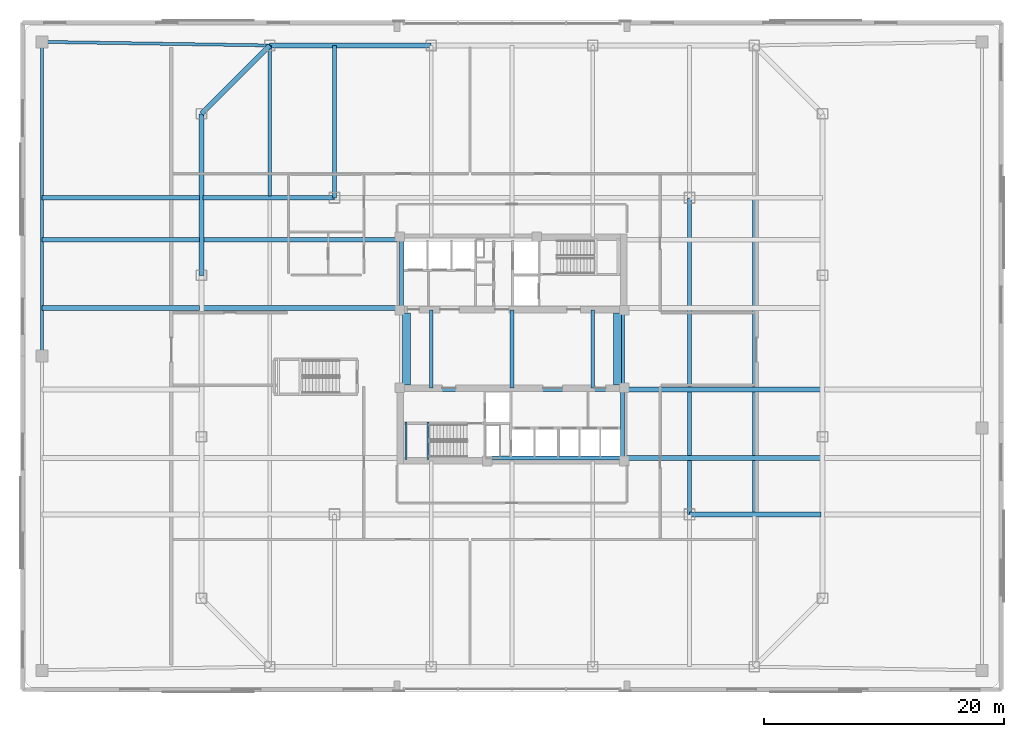
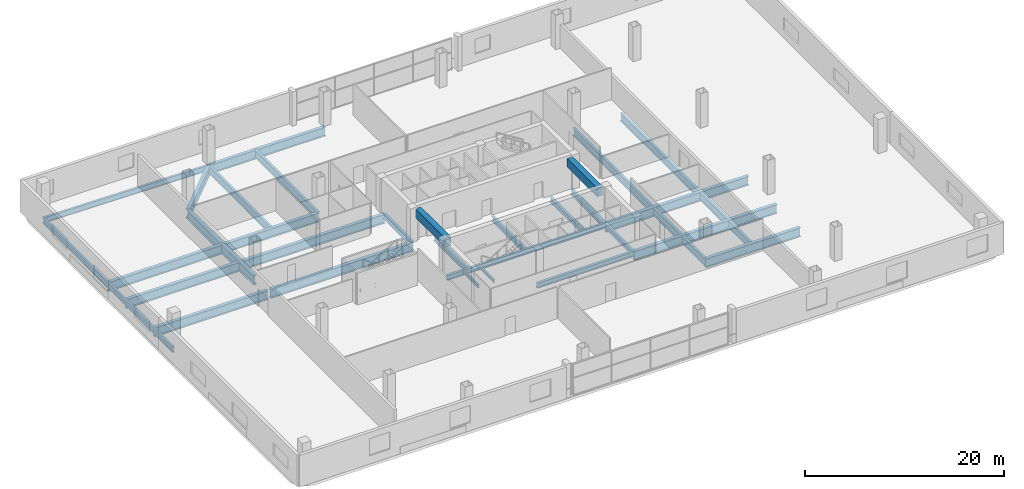
# One storey, part 7 of 21: 30 beams.
"""IFC4 building model written with IfcOpenShell, lengths in metres."""

import ifcopenshell
import ifcopenshell.guid

model = None  # the IFC model being written
_history = None  # IfcOwnerHistory: only IFC2X3 demands one
_inside = {}  # id of a spatial element -> (the spatial element, [elements in it])
_under = {}  # id of a project, library or spatial element -> (it, [spatial elements below it])
_declared = {}  # id of a project -> (the project, [libraries it declares])
_typed = {}  # id of a type object -> (the type object, [elements of that type])
_made_of = {}  # id of a material, layer set ... -> (it, [elements and type objects made of it])


def new_model(schema):
    """Start an empty IFC model of exactly this schema.

    Asked for "IFC4X3", IfcOpenShell would pick the latest addendum, in which some entities
    have other attributes; the version numbers below select the first issue.
    IFC2X3 requires an IfcOwnerHistory on every rooted entity: one is made here for all.
    """
    global model, _history
    if schema == "IFC4X3":
        model = ifcopenshell.file(schema_version=(4, 3, 0, 0))
    else:
        model = ifcopenshell.file(schema=schema)
    _inside.clear()
    _under.clear()
    _declared.clear()
    _typed.clear()
    _made_of.clear()
    _history = None
    if model.schema == "IFC2X3":
        org = make("IfcOrganization", Name="unknown")
        user = make(
            "IfcPersonAndOrganization",
            ThePerson=make("IfcPerson", FamilyName="unknown"),
            TheOrganization=org,
        )
        app = make(
            "IfcApplication",
            ApplicationDeveloper=org,
            Version="unknown",
            ApplicationFullName="unknown",
            ApplicationIdentifier="unknown",
        )
        _history = make(
            "IfcOwnerHistory",
            OwningUser=user,
            OwningApplication=app,
            ChangeAction="ADDED",
            CreationDate=0,
        )
    return model


def make(cls, **values):
    """One entity of the class cls with the attributes given. An attribute that is None is left unset."""
    return model.create_entity(
        cls, **{name: value for name, value in values.items() if value is not None}
    )


def rooted(cls, **values):
    """An entity with a GlobalId (a new one), such as an element, a storey or a relation."""
    return make(cls, GlobalId=ifcopenshell.guid.new(), OwnerHistory=_history, **values)


def si_unit(unit_type, name, prefix=None):
    """IfcSIUnit, for example si_unit("LENGTHUNIT", "METRE", prefix="MILLI")."""
    return make("IfcSIUnit", UnitType=unit_type, Prefix=prefix, Name=name)


def assignment(units):
    """IfcUnitAssignment: the units of a project."""
    return None if units is None else make("IfcUnitAssignment", Units=units)


def point(xyz):
    """IfcCartesianPoint."""
    return None if xyz is None else make("IfcCartesianPoint", Coordinates=xyz)


def direction(xyz):
    """IfcDirection."""
    return None if xyz is None else make("IfcDirection", DirectionRatios=xyz)


def frame(location, z_axis=None, x_axis=None):
    """IfcAxis2Placement3D, a coordinate frame: its origin and axes. An axis left out is left unset."""
    return make(
        "IfcAxis2Placement3D",
        Location=point(location),
        Axis=direction(z_axis),
        RefDirection=direction(x_axis),
    )


def frame_2d(location, x_axis=None):
    """IfcAxis2Placement2D, a coordinate frame in the plane: its origin and x axis."""
    return make(
        "IfcAxis2Placement2D", Location=point(location), RefDirection=direction(x_axis)
    )


def origin():
    """The frame at (0, 0, 0) with its axes left unset."""
    return frame((0.0, 0.0, 0.0))


def origin_2d():
    """The frame at (0, 0) in the plane with its x axis left unset."""
    return frame_2d((0.0, 0.0))


def place(relative_to, where):
    """IfcLocalPlacement: puts the frame where relative to a parent placement (None: the world)."""
    return make(
        "IfcLocalPlacement", PlacementRelTo=relative_to, RelativePlacement=where
    )


def context(
    kind, dimensions, precision=None, world=None, true_north=None, identifier=None
):
    """IfcGeometricRepresentationContext, for example the 3D "Model" context."""
    return make(
        "IfcGeometricRepresentationContext",
        ContextIdentifier=identifier,
        ContextType=kind,
        CoordinateSpaceDimension=dimensions,
        Precision=precision,
        WorldCoordinateSystem=world,
        TrueNorth=true_north,
    )


def subcontext(parent, identifier, kind, view, scale=None):
    """IfcGeometricRepresentationSubContext, for example "Body" below "Model"."""
    return make(
        "IfcGeometricRepresentationSubContext",
        ContextIdentifier=identifier,
        ContextType=kind,
        ParentContext=parent,
        TargetScale=scale,
        TargetView=view,
    )


def project(units=None, contexts=None):
    """IfcProject with its units and contexts."""
    return rooted(
        "IfcProject",
        Name="project",
        RepresentationContexts=contexts,
        UnitsInContext=assignment(units),
    )


def spatial(cls, under=None, at=None, **own):
    """A site, building, storey or space (cls), placed at a placement, below another one or the project."""
    s = rooted(cls, ObjectPlacement=at, **own)
    if under is not None:
        _under.setdefault(under.id(), (under, []))[1].append(s)
    return s


def profile(cls, at=None, kind="AREA", **sizes):
    """A parametric profile (cls). Its sizes go by their IFC names, for example OverallWidth=200.0."""
    return make(cls, ProfileType=kind, Position=at, **sizes)


def rectangle(**sizes):
    """IfcRectangleProfileDef."""
    return profile("IfcRectangleProfileDef", **sizes)


def i_section(**sizes):
    """IfcIShapeProfileDef."""
    return profile("IfcIShapeProfileDef", **sizes)


def extrude(swept, where, along, depth):
    """IfcExtrudedAreaSolid: the profile swept, set in the frame where, extruded along a direction by depth."""
    return make(
        "IfcExtrudedAreaSolid",
        SweptArea=swept,
        Position=where,
        ExtrudedDirection=direction(along),
        Depth=depth,
    )


def shape(context_of_items, identifier, shape_type, items):
    """IfcShapeRepresentation: the items that make up one representation, for example the "Body"."""
    return make(
        "IfcShapeRepresentation",
        ContextOfItems=context_of_items,
        RepresentationIdentifier=identifier,
        RepresentationType=shape_type,
        Items=items,
    )


def material(Name=None, Category=None):
    """IfcMaterial."""
    return make("IfcMaterial", Name=Name, Category=Category)


def material_profile(
    of_material, cross_section, Name=None, Category=None, Priority=None
):
    """IfcMaterialProfile: a cross section and its material."""
    return make(
        "IfcMaterialProfile",
        Name=Name,
        Material=of_material,
        Profile=cross_section,
        Priority=Priority,
        Category=Category,
    )


def profile_set(profiles, Name=None, composite=None):
    """IfcMaterialProfileSet."""
    return make(
        "IfcMaterialProfileSet",
        Name=Name,
        MaterialProfiles=profiles,
        CompositeProfile=composite,
    )


def made_of(thing, what):
    """Note that an element or type object is made of a material, layer set ...; save() writes the relation."""
    if what is not None:
        _made_of.setdefault(what.id(), (what, []))[1].append(thing)
    return thing


def type_object(cls, material=None, **own):
    """A type object (cls), such as IfcWallType, which elements share."""
    return made_of(rooted(cls, **own), material)


def element(
    cls,
    number,
    at=None,
    inside=None,
    cuts=None,
    type_object=None,
    material=None,
    context=None,
    identifier="Body",
    shape_type=None,
    held_by="IfcProductDefinitionShape",
    body=None,
    shapes=None,
    **own,
):
    """One element of the class cls, such as IfcWall. Its Tag is "e" and its number.

    at: its placement. inside: the storey or other place that contains it. cuts: it is an
    opening in that element (IfcRelVoidsElement). A single representation is given by context,
    identifier, shape_type and body (its items); several are given by shapes. held_by: the class
    of the entity that holds the representations. save() writes the other relations.
    """
    e = rooted(cls, Tag="e%d" % number, ObjectPlacement=at, **own)
    if body is not None:
        shapes = [shape(context, identifier, shape_type, body)]
    if shapes is not None:
        e.Representation = make(held_by, Representations=shapes)
    if inside is not None:
        _inside.setdefault(inside.id(), (inside, []))[1].append(e)
    if cuts is not None:
        rooted(
            "IfcRelVoidsElement", RelatingBuildingElement=cuts, RelatedOpeningElement=e
        )
    if type_object is not None:
        _typed.setdefault(type_object.id(), (type_object, []))[1].append(e)
    return made_of(e, material)


def aggregate(whole, parts):
    """IfcRelAggregates: a whole, such as a stair, and the parts it consists of."""
    return rooted("IfcRelAggregates", RelatingObject=whole, RelatedObjects=parts)


def save(model, path):
    """Write the relations noted so far, then the file.

    IfcRelAggregates (storeys below a building ...), IfcRelContainedInSpatialStructure (elements
    in a storey), IfcRelDefinesByType, IfcRelAssociatesMaterial and IfcRelDeclares: one each for
    every whole, place, type object, material and project.
    """
    for whole, parts in _under.values():
        aggregate(whole, parts)
    for where, things in _inside.values():
        rooted(
            "IfcRelContainedInSpatialStructure",
            RelatedElements=things,
            RelatingStructure=where,
        )
    for kind, things in _typed.values():
        rooted("IfcRelDefinesByType", RelatedObjects=things, RelatingType=kind)
    for what, things in _made_of.values():
        rooted("IfcRelAssociatesMaterial", RelatedObjects=things, RelatingMaterial=what)
    for by, libraries in _declared.values():
        rooted("IfcRelDeclares", RelatingContext=by, RelatedDefinitions=libraries)
    model.write(path)


model = new_model("IFC4")

# Units and contexts
model_context = context("Model", 3, precision=1e-05, world=origin(), true_north=direction((0.0, 1.0)))
body_context = subcontext(model_context, "Body", "Model", "MODEL_VIEW")
ifc_project = project(units=[si_unit("LENGTHUNIT", "METRE"), si_unit("AREAUNIT", "SQUARE_METRE"), si_unit("VOLUMEUNIT", "CUBIC_METRE"), si_unit("PLANEANGLEUNIT", "RADIAN"), si_unit("MASSUNIT", "GRAM", prefix="KILO")], contexts=[model_context])

# Site, building, storey
site_placement = place(None, origin())
site = spatial("IfcSite", under=ifc_project, at=site_placement, CompositionType="ELEMENT")
building_placement = place(site_placement, origin())
building = spatial("IfcBuilding", under=site, at=building_placement, Name="Qhalaya Broadcast Tower", CompositionType="ELEMENT")
storey_placement = place(building_placement, frame((0.0, 0.0, 5.10009765625)))
storey = spatial("IfcBuildingStorey", under=building, at=storey_placement, Name="L01", CompositionType="ELEMENT", Elevation=5.10009765625)

# Beams
ifc_material_1 = material(Name="Structural Steel ASTM A992 Grade 50", Category="steel")
ifc_material_profile_1 = material_profile(ifc_material_1, i_section(OverallWidth=0.323974609375, OverallDepth=0.612060546875, WebThickness=0.0126953125, FlangeThickness=0.01904296875, at=origin_2d()), Name="W24X104")
ifc_profile_set_1 = profile_set([ifc_material_profile_1], Name="Structural Steel ASTM A992 Grade 50")
beam_type_1 = type_object("IfcBeamType", Name="Core Frame Tie Beam B04", PredefinedType="BEAM", material=ifc_profile_set_1)
beam_1_placement = place(storey_placement, frame((-9.199951171875, 4.0, -0.6259765625), z_axis=(0.0, 1.0, 0.0), x_axis=(-1.0, 0.0, 0.0)))
element("IfcBeam", 1, at=beam_1_placement, inside=storey, type_object=beam_type_1, Name="L01 B04 L01-CCN2", PredefinedType="BEAM", context=body_context, shape_type="SweptSolid", body=[
    extrude(i_section(OverallWidth=0.323974609375, OverallDepth=0.612060546875, WebThickness=0.0126953125, FlangeThickness=0.01904296875, at=origin_2d()), origin(), (0.0, 0.0, 1.0), 5.699951171875),
])
beam_2_placement = place(storey_placement, frame((-9.199951171875, -2.800048828125, -0.6259765625), z_axis=(1.0, 0.0, 0.0), x_axis=(0.0, 1.0, 0.0)))
element("IfcBeam", 2, at=beam_2_placement, inside=storey, type_object=beam_type_1, Name="L01 B04 L01-CCS1", PredefinedType="BEAM", context=body_context, shape_type="SweptSolid", body=[
    extrude(i_section(OverallWidth=0.323974609375, OverallDepth=0.612060546875, WebThickness=0.0126953125, FlangeThickness=0.01904296875, at=origin_2d()), origin(), (0.0, 0.0, 1.0), 18.39990234375),
])
beam_3_placement = place(storey_placement, frame((9.199951171875, -8.5, -0.6259765625), z_axis=(0.0, 1.0, 0.0), x_axis=(-1.0, 0.0, 0.0)))
element("IfcBeam", 3, at=beam_3_placement, inside=storey, type_object=beam_type_1, Name="L01 B04 L01-CCS2", PredefinedType="BEAM", context=body_context, shape_type="SweptSolid", body=[
    extrude(i_section(OverallWidth=0.323974609375, OverallDepth=0.612060546875, WebThickness=0.0126953125, FlangeThickness=0.01904296875, at=origin_2d()), origin(), (0.0, 0.0, 1.0), 5.699951171875),
])
beam_4_placement = place(storey_placement, frame((-2.050048828125, -8.5, -0.6259765625), z_axis=(1.0, 0.0, 0.0), x_axis=(0.0, 1.0, 0.0)))
element("IfcBeam", 4, at=beam_4_placement, inside=storey, type_object=beam_type_1, Name="L01 B04 L01-CCS3", PredefinedType="BEAM", context=body_context, shape_type="SweptSolid", body=[
    extrude(i_section(OverallWidth=0.323974609375, OverallDepth=0.612060546875, WebThickness=0.0126953125, FlangeThickness=0.01904296875, at=origin_2d()), origin(), (0.0, 0.0, 1.0), 11.25),
])
beam_5_placement = place(storey_placement, frame((9.199951171875, -2.800048828125, -0.6259765625), z_axis=(0.0, 1.0, 0.0), x_axis=(-1.0, 0.0, 0.0)))
element("IfcBeam", 5, at=beam_5_placement, inside=storey, type_object=beam_type_1, Name="L01 B04 L01-CCE", PredefinedType="BEAM", context=body_context, shape_type="SweptSolid", body=[
    extrude(i_section(OverallWidth=0.323974609375, OverallDepth=0.612060546875, WebThickness=0.0126953125, FlangeThickness=0.01904296875, at=origin_2d()), origin(), (0.0, 0.0, 1.0), 6.800048828125),
])
for number, where, z_axis, x_axis, name in (
    (6, (-6.7333984375, -2.64990234375, -0.6259765625), (0.0, 1.0, 0.0), (-1.0, 0.0, 0.0), "L01 B04 L01-JS-CM-6.7"),
    (7, (0.0, -2.64990234375, -0.6259765625), (0.0, 1.0, 0.0), (-1.0, 0.0, 0.0), "L01 B04 L01-JS-CM+0.0"),
    (8, (6.7333984375, -2.64990234375, -0.6259765625), (0.0, 1.0, 0.0), (-1.0, 0.0, 0.0), "L01 B04 L01-JS-CM+6.7"),
):
    element("IfcBeam", number, at=place(storey_placement, frame(where, z_axis=z_axis, x_axis=x_axis)), inside=storey, type_object=beam_type_1, Name=name, PredefinedType="BEAM", context=body_context, shape_type="SweptSolid", body=[
        extrude(i_section(OverallWidth=0.323974609375, OverallDepth=0.612060546875, WebThickness=0.0126953125, FlangeThickness=0.01904296875, at=origin_2d()), origin(), (0.0, 0.0, 1.0), 6.5),
    ])
ifc_material_profile_2 = material_profile(ifc_material_1, i_section(OverallWidth=0.306884765625, OverallDepth=0.927001953125, WebThickness=0.019287109375, FlangeThickness=0.031982421875, at=origin_2d()), Name="W36X194")
ifc_profile_set_2 = profile_set([ifc_material_profile_2], Name="Structural Steel ASTM A992 Grade 50")
beam_type_2 = type_object("IfcBeamType", Name="Heavy Studio Floor Beam B01", PredefinedType="BEAM", material=ifc_profile_set_2)
beam_6_placement = place(storey_placement, frame((-20.199951171875, 13.340087890625, -0.78369140625), z_axis=(0.0, 1.0, 0.0), x_axis=(-1.0, 0.0, 0.0)))
element("IfcBeam", 9, at=beam_6_placement, inside=storey, type_object=beam_type_2, Name="L01 B01 L01-JS-N-20.2", PredefinedType="BEAM", context=body_context, shape_type="SweptSolid", body=[
    extrude(i_section(OverallWidth=0.306884765625, OverallDepth=0.927001953125, WebThickness=0.019287109375, FlangeThickness=0.031982421875, at=origin_2d()), origin(), (0.0, 0.0, 1.0), 12.559814453125),
])
beam_7_placement = place(storey_placement, frame((-14.800048828125, 13.199951171875, -0.78369140625), z_axis=(0.0, 1.0, 0.0), x_axis=(-1.0, 0.0, 0.0)))
element("IfcBeam", 10, at=beam_7_placement, inside=storey, type_object=beam_type_2, Name="L01 B01 L01-JS-N-14.8", PredefinedType="BEAM", context=body_context, shape_type="SweptSolid", body=[
    extrude(i_section(OverallWidth=0.306884765625, OverallDepth=0.927001953125, WebThickness=0.019287109375, FlangeThickness=0.031982421875, at=origin_2d()), origin(), (0.0, 0.0, 1.0), 12.699951171875),
])
beam_8_placement = place(storey_placement, frame((14.800048828125, -13.199951171875, -0.78369140625), z_axis=(0.0, 1.0, 0.0), x_axis=(-1.0, 0.0, 0.0)))
element("IfcBeam", 11, at=beam_8_placement, inside=storey, type_object=beam_type_2, Name="L01 B01 L01-JS-M+14.8", PredefinedType="BEAM", context=body_context, shape_type="SweptSolid", body=[
    extrude(i_section(OverallWidth=0.306884765625, OverallDepth=0.927001953125, WebThickness=0.019287109375, FlangeThickness=0.031982421875, at=origin_2d()), origin(), (0.0, 0.0, 1.0), 26.39990234375),
])
beam_9_placement = place(storey_placement, frame((20.199951171875, -13.06005859375, -0.78369140625), z_axis=(0.0, 1.0, 0.0), x_axis=(-1.0, 0.0, 0.0)))
element("IfcBeam", 12, at=beam_9_placement, inside=storey, type_object=beam_type_2, Name="L01 B01 L01-JS-M+20.2", PredefinedType="BEAM", context=body_context, shape_type="SweptSolid", body=[
    extrude(i_section(OverallWidth=0.306884765625, OverallDepth=0.927001953125, WebThickness=0.019287109375, FlangeThickness=0.031982421875, at=origin_2d()), origin(), (0.0, 0.0, 1.0), 26.1201171875),
])
ifc_material_profile_3 = material_profile(ifc_material_1, i_section(OverallWidth=0.25390625, OverallDepth=0.68310546875, WebThickness=0.012451171875, FlangeThickness=0.01904296875, at=origin_2d()), Name="W27X94")
ifc_profile_set_3 = profile_set([ifc_material_profile_3], Name="Structural Steel ASTM A992 Grade 50")
beam_type_3 = type_object("IfcBeamType", Name="Perimeter Ring Spandrel Beam SP1", PredefinedType="SPANDREL", material=ifc_profile_set_3)
beam_10_placement = place(storey_placement, frame((-39.199951171875, 26.199951171875, -0.66162109375), z_axis=(0.999875328998, -0.015790074776, 0.0), x_axis=(0.015790074776, 0.999875328998, 0.0)))
element("IfcBeam", 13, at=beam_10_placement, inside=storey, type_object=beam_type_3, Name="L01 SP1 L01-SP-N1", PredefinedType="SPANDREL", context=body_context, shape_type="SweptSolid", body=[
    extrude(i_section(OverallWidth=0.25390625, OverallDepth=0.68310546875, WebThickness=0.012451171875, FlangeThickness=0.01904296875, at=origin_2d()), origin(), (0.0, 0.0, 1.0), 19.00244140625),
])
beam_11_placement = place(storey_placement, frame((-39.199951171875, 0.0, -0.66162109375), z_axis=(0.0, 1.0, 0.0), x_axis=(-1.0, 0.0, 0.0)))
element("IfcBeam", 14, at=beam_11_placement, inside=storey, type_object=beam_type_3, Name="L01 SP1 L01-SP-W2", PredefinedType="SPANDREL", context=body_context, shape_type="SweptSolid", body=[
    extrude(i_section(OverallWidth=0.25390625, OverallDepth=0.68310546875, WebThickness=0.012451171875, FlangeThickness=0.01904296875, at=origin_2d()), origin(), (0.0, 0.0, 1.0), 26.199951171875),
])
ifc_material_profile_4 = material_profile(ifc_material_1, i_section(OverallWidth=0.404052734375, OverallDepth=1.117919921875, WebThickness=0.026123046875, FlangeThickness=0.044921875, at=origin_2d()), Name="W44X335")
ifc_profile_set_4 = profile_set([ifc_material_profile_4], Name="Structural Steel ASTM A992 Grade 50")
beam_type_4 = type_object("IfcBeamType", Name="Podium Long-Span Primary Girder PG1", PredefinedType="USERDEFINED", material=ifc_profile_set_4)
beam_12_placement = place(storey_placement, frame((-6.7333984375, 25.89990234375, -0.879150390625), z_axis=(-1.0, 0.0, 0.0), x_axis=(0.0, -1.0, 0.0)))
element("IfcBeam", 15, at=beam_12_placement, inside=storey, type_object=beam_type_4, Name="L01 PG1 L01-PG-R11", ObjectType="GIRDER", PredefinedType="USERDEFINED", context=body_context, shape_type="SweptSolid", body=[
    extrude(i_section(OverallWidth=0.404052734375, OverallDepth=1.117919921875, WebThickness=0.026123046875, FlangeThickness=0.044921875, at=origin_2d()), origin(), (0.0, 0.0, 1.0), 13.466552734375),
])
beam_13_placement = place(storey_placement, frame((-20.199951171875, 25.89990234375, -0.879150390625), z_axis=(-0.707106781187, -0.707106781187, 0.0), x_axis=(0.707106781187, -0.707106781187, 0.0)))
element("IfcBeam", 16, at=beam_13_placement, inside=storey, type_object=beam_type_4, Name="L01 PG1 L01-PG-R12", ObjectType="GIRDER", PredefinedType="USERDEFINED", context=body_context, shape_type="SweptSolid", body=[
    extrude(i_section(OverallWidth=0.404052734375, OverallDepth=1.117919921875, WebThickness=0.026123046875, FlangeThickness=0.044921875, at=origin_2d()), origin(), (0.0, 0.0, 1.0), 8.06103515625),
])
beam_14_placement = place(storey_placement, frame((-25.89990234375, 20.199951171875, -0.879150390625), z_axis=(0.0, -1.0, 0.0), x_axis=(1.0, 0.0, 0.0)))
element("IfcBeam", 17, at=beam_14_placement, inside=storey, type_object=beam_type_4, Name="L01 PG1 L01-PG-R13", ObjectType="GIRDER", PredefinedType="USERDEFINED", context=body_context, shape_type="SweptSolid", body=[
    extrude(i_section(OverallWidth=0.404052734375, OverallDepth=1.117919921875, WebThickness=0.026123046875, FlangeThickness=0.044921875, at=origin_2d()), origin(), (0.0, 0.0, 1.0), 13.466552734375),
])
beam_15_placement = place(storey_placement, frame((14.800048828125, -13.199951171875, -0.879150390625), z_axis=(1.0, 0.0, 0.0), x_axis=(0.0, 1.0, 0.0)))
element("IfcBeam", 18, at=beam_15_placement, inside=storey, type_object=beam_type_4, Name="L01 PG1 L01-PG-GS4", ObjectType="GIRDER", PredefinedType="USERDEFINED", context=body_context, shape_type="SweptSolid", body=[
    extrude(i_section(OverallWidth=0.404052734375, OverallDepth=1.117919921875, WebThickness=0.026123046875, FlangeThickness=0.044921875, at=origin_2d()), origin(), (0.0, 0.0, 1.0), 10.9599609375),
])
beam_16_placement = place(storey_placement, frame((-39.199951171875, 13.199951171875, -0.879150390625), z_axis=(1.0, 0.0, 0.0), x_axis=(0.0, 1.0, 0.0)))
element("IfcBeam", 19, at=beam_16_placement, inside=storey, type_object=beam_type_4, Name="L01 PG1 L01-PG-GN1", ObjectType="GIRDER", PredefinedType="USERDEFINED", context=body_context, shape_type="SweptSolid", body=[
    extrude(i_section(OverallWidth=0.404052734375, OverallDepth=1.117919921875, WebThickness=0.026123046875, FlangeThickness=0.044921875, at=origin_2d()), origin(), (0.0, 0.0, 1.0), 13.159912109375),
])
beam_17_placement = place(storey_placement, frame((-25.760009765625, 13.199951171875, -0.879150390625), z_axis=(1.0, 0.0, 0.0), x_axis=(0.0, 1.0, 0.0)))
element("IfcBeam", 20, at=beam_17_placement, inside=storey, type_object=beam_type_4, Name="L01 PG1 L01-PG-GN2", ObjectType="GIRDER", PredefinedType="USERDEFINED", context=body_context, shape_type="SweptSolid", body=[
    extrude(i_section(OverallWidth=0.404052734375, OverallDepth=1.117919921875, WebThickness=0.026123046875, FlangeThickness=0.044921875, at=origin_2d()), origin(), (0.0, 0.0, 1.0), 10.9599609375),
])
for number, where, z_axis, x_axis, name in (
    (21, (9.199951171875, -8.5, -0.879150390625), (1.0, 0.0, 0.0), (0.0, 1.0, 0.0), "L01 PG1 L01-PG-E1A"),
    (22, (9.199951171875, -2.800048828125, -0.879150390625), (1.0, 0.0, 0.0), (0.0, 1.0, 0.0), "L01 PG1 L01-PG-E2A"),
):
    element("IfcBeam", number, at=place(storey_placement, frame(where, z_axis=z_axis, x_axis=x_axis)), inside=storey, type_object=beam_type_4, Name=name, ObjectType="GIRDER", PredefinedType="USERDEFINED", context=body_context, shape_type="SweptSolid", body=[
        extrude(i_section(OverallWidth=0.404052734375, OverallDepth=1.117919921875, WebThickness=0.026123046875, FlangeThickness=0.044921875, at=origin_2d()), origin(), (0.0, 0.0, 1.0), 16.56005859375),
    ])
beam_18_placement = place(storey_placement, frame((-39.199951171875, 4.0, -0.879150390625), z_axis=(1.0, 0.0, 0.0), x_axis=(0.0, 1.0, 0.0)))
element("IfcBeam", 23, at=beam_18_placement, inside=storey, type_object=beam_type_4, Name="L01 PG1 L01-PG-W3A", ObjectType="GIRDER", PredefinedType="USERDEFINED", context=body_context, shape_type="SweptSolid", body=[
    extrude(i_section(OverallWidth=0.404052734375, OverallDepth=1.117919921875, WebThickness=0.026123046875, FlangeThickness=0.044921875, at=origin_2d()), origin(), (0.0, 0.0, 1.0), 13.159912109375),
])
beam_19_placement = place(storey_placement, frame((-25.760009765625, 4.0, -0.879150390625), z_axis=(1.0, 0.0, 0.0), x_axis=(0.0, 1.0, 0.0)))
element("IfcBeam", 24, at=beam_19_placement, inside=storey, type_object=beam_type_4, Name="L01 PG1 L01-PG-W3B", ObjectType="GIRDER", PredefinedType="USERDEFINED", context=body_context, shape_type="SweptSolid", body=[
    extrude(i_section(OverallWidth=0.404052734375, OverallDepth=1.117919921875, WebThickness=0.026123046875, FlangeThickness=0.044921875, at=origin_2d()), origin(), (0.0, 0.0, 1.0), 16.56005859375),
])
beam_20_placement = place(storey_placement, frame((-39.199951171875, 9.699951171875, -0.879150390625), z_axis=(1.0, 0.0, 0.0), x_axis=(0.0, 1.0, 0.0)))
element("IfcBeam", 25, at=beam_20_placement, inside=storey, type_object=beam_type_4, Name="L01 PG1 L01-PG-W4A", ObjectType="GIRDER", PredefinedType="USERDEFINED", context=body_context, shape_type="SweptSolid", body=[
    extrude(i_section(OverallWidth=0.404052734375, OverallDepth=1.117919921875, WebThickness=0.026123046875, FlangeThickness=0.044921875, at=origin_2d()), origin(), (0.0, 0.0, 1.0), 13.159912109375),
])
beam_21_placement = place(storey_placement, frame((-25.760009765625, 9.699951171875, -0.879150390625), z_axis=(1.0, 0.0, 0.0), x_axis=(0.0, 1.0, 0.0)))
element("IfcBeam", 26, at=beam_21_placement, inside=storey, type_object=beam_type_4, Name="L01 PG1 L01-PG-W4B", ObjectType="GIRDER", PredefinedType="USERDEFINED", context=body_context, shape_type="SweptSolid", body=[
    extrude(i_section(OverallWidth=0.404052734375, OverallDepth=1.117919921875, WebThickness=0.026123046875, FlangeThickness=0.044921875, at=origin_2d()), origin(), (0.0, 0.0, 1.0), 16.56005859375),
])
ifc_material_2 = material(Name="Concrete C60/75", Category="concrete")
ifc_material_profile_5 = material_profile(ifc_material_2, rectangle(XDim=0.64990234375, YDim=1.050048828125, at=origin_2d()), Name="RC-CB 650x1050")
ifc_profile_set_5 = profile_set([ifc_material_profile_5], Name="Concrete C60/75")
beam_type_5 = type_object("IfcBeamType", Name="Split-Core RC Coupling Lintel CB1", PredefinedType="LINTEL", material=ifc_profile_set_5)
for number, where, z_axis, x_axis, name in (
    (27, (-8.800048828125, -2.39990234375, 3.35498046875), (0.0, 1.0, 0.0), (-1.0, 0.0, 0.0), "L01 Core Coupling Lintel Beam W"),
    (28, (8.800048828125, -2.39990234375, 3.35498046875), (0.0, 1.0, 0.0), (-1.0, 0.0, 0.0), "L01 Core Coupling Lintel Beam E"),
):
    element("IfcBeam", number, at=place(storey_placement, frame(where, z_axis=z_axis, x_axis=x_axis)), inside=storey, type_object=beam_type_5, Name=name, PredefinedType="LINTEL", context=body_context, shape_type="SweptSolid", body=[
        extrude(rectangle(XDim=0.64990234375, YDim=1.050048828125, at=origin_2d()), origin(), (0.0, 0.0, 1.0), 6.0),
    ])
ifc_material_profile_6 = material_profile(ifc_material_1, i_section(OverallWidth=0.177978515625, OverallDepth=0.406005859375, WebThickness=0.0078125, FlangeThickness=0.0126953125, at=origin_2d()), Name="W16X40")
ifc_profile_set_6 = profile_set([ifc_material_profile_6], Name="Structural Steel ASTM A992 Grade 50")
beam_type_6 = type_object("IfcBeamType", Name="Upper Perimeter Spandrel Beam SP2", PredefinedType="SPANDREL", material=ifc_profile_set_6)
for number, where, z_axis, x_axis, name in (
    (29, (-8.830078125, -8.6201171875, 1.697021484375), (0.0, 1.0, 0.0), (-1.0, 0.0, 0.0), "L01 ST-2 Half-Landing Bearer Beam 1"),
    (30, (-7.014892578125, -8.6201171875, 1.697021484375), (0.0, 1.0, 0.0), (-1.0, 0.0, 0.0), "L01 ST-2 Half-Landing Bearer Beam 2"),
):
    element("IfcBeam", number, at=place(storey_placement, frame(where, z_axis=z_axis, x_axis=x_axis)), inside=storey, type_object=beam_type_6, Name=name, PredefinedType="SPANDREL", context=body_context, shape_type="SweptSolid", body=[
        extrude(i_section(OverallWidth=0.177978515625, OverallDepth=0.406005859375, WebThickness=0.0078125, FlangeThickness=0.0126953125, at=origin_2d()), origin(), (0.0, 0.0, 1.0), 3.1201171875),
    ])

save(model, "model.ifc")
